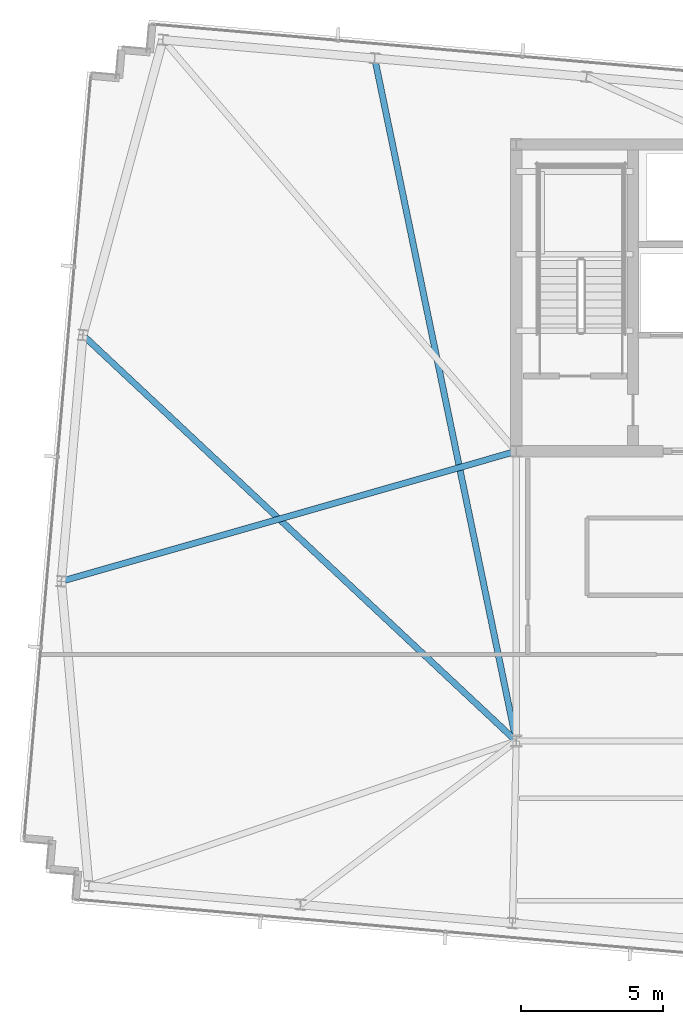
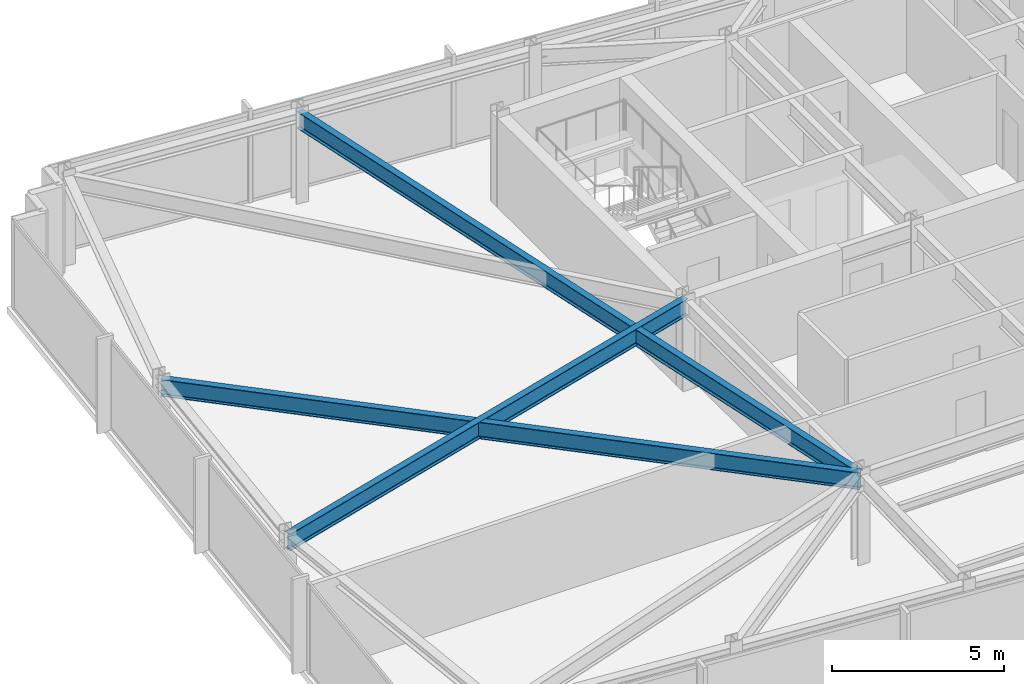
# One storey, part 10 of 32: 3 beams.
"""IFC4 building model written with IfcOpenShell, lengths in metres."""

from ifc_helpers import new_model, si_unit, direction, frame, origin, origin_2d, place, context, subcontext, project, spatial, i_section, extrude, material, material_profile, profile_set, type_object, element, save


model = new_model("IFC4")

# Units and contexts
model_context = context("Model", 3, precision=1e-05, world=origin(), true_north=direction((0.0, 1.0)))
body_context = subcontext(model_context, "Body", "Model", "MODEL_VIEW")
ifc_project = project(units=[si_unit("LENGTHUNIT", "METRE"), si_unit("AREAUNIT", "SQUARE_METRE"), si_unit("VOLUMEUNIT", "CUBIC_METRE"), si_unit("PLANEANGLEUNIT", "RADIAN"), si_unit("MASSUNIT", "GRAM", prefix="KILO")], contexts=[model_context])

# Site, building, storey
site_placement = place(None, origin())
site = spatial("IfcSite", under=ifc_project, at=site_placement, CompositionType="ELEMENT")
building_placement = place(site_placement, origin())
building = spatial("IfcBuilding", under=site, at=building_placement, Name="Yelkora Congress Tower", CompositionType="ELEMENT")
storey_placement = place(building_placement, frame((0.0, 0.0, 265.89990234375)))
storey = spatial("IfcBuildingStorey", under=building, at=storey_placement, Name="L74", CompositionType="ELEMENT", Elevation=265.89990234375)

# Beams
ifc_material = material(Name="Steel S355J2", Category="steel")
ifc_material_profile = material_profile(ifc_material, i_section(OverallWidth=0.219970703125, OverallDepth=0.60009765625, WebThickness=0.011962890625, FlangeThickness=0.01904296875, FilletRadius=0.02392578125, at=origin_2d()), Name="IPE 600")
ifc_profile_set = profile_set([ifc_material_profile], Name="Steel S355J2")
beam_type = type_object("IfcBeamType", Name="BM-GIRD-IPE600", PredefinedType="BEAM", material=ifc_profile_set)
beam_1_placement = place(storey_placement, frame((18.058837890625, 49.231689453125, 2.880126953125), z_axis=(0.202961834344, -0.979186649112, 0.0), x_axis=(0.979186649112, 0.202961834344, 0.0)))
element("IfcBeam", 1, at=beam_1_placement, inside=storey, type_object=beam_type, Name="L74 Primary Frame Girder N02", PredefinedType="BEAM", context=body_context, shape_type="SweptSolid", body=[
    extrude(i_section(OverallWidth=0.219970703125, OverallDepth=0.60009765625, WebThickness=0.011962890625, FlangeThickness=0.01904296875, FilletRadius=0.02392578125, at=origin_2d()), origin(), (0.0, 0.0, 1.0), 24.54248046875),
])
beam_2_placement = place(storey_placement, frame((7.029052734375, 30.822998046875, 2.880126953125), z_axis=(0.961486871307, 0.274850861932, 0.0), x_axis=(-0.274850861932, 0.961486871307, 0.0)))
element("IfcBeam", 2, at=beam_2_placement, inside=storey, type_object=beam_type, Name="L74 Primary Frame Girder W01", PredefinedType="BEAM", context=body_context, shape_type="SweptSolid", body=[
    extrude(i_section(OverallWidth=0.219970703125, OverallDepth=0.60009765625, WebThickness=0.011962890625, FlangeThickness=0.01904296875, FilletRadius=0.02392578125, at=origin_2d()), origin(), (0.0, 0.0, 1.0), 16.65234375),
])
beam_3_placement = place(storey_placement, frame((7.787353515625, 39.489990234375, 2.880126953125), z_axis=(0.729760461145, -0.683702910152, 0.0), x_axis=(0.683702910152, 0.729760461145, 0.0)))
element("IfcBeam", 3, at=beam_3_placement, inside=storey, type_object=beam_type, Name="L74 Primary Frame Girder W02", PredefinedType="BEAM", context=body_context, shape_type="SweptSolid", body=[
    extrude(i_section(OverallWidth=0.219970703125, OverallDepth=0.60009765625, WebThickness=0.011962890625, FlangeThickness=0.01904296875, FilletRadius=0.02392578125, at=origin_2d()), origin(), (0.0, 0.0, 1.0), 20.90087890625),
])

save(model, "model.ifc")
